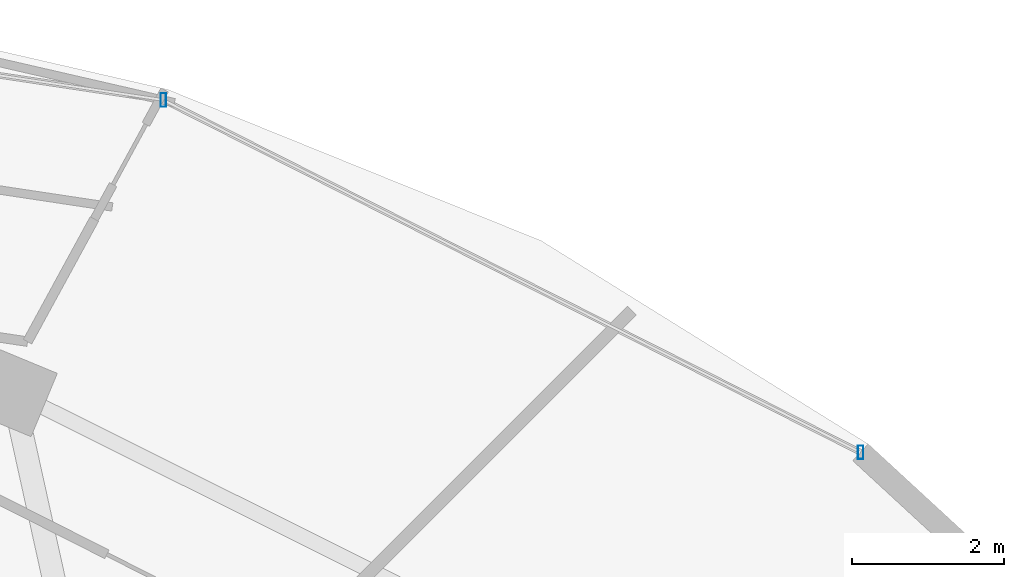
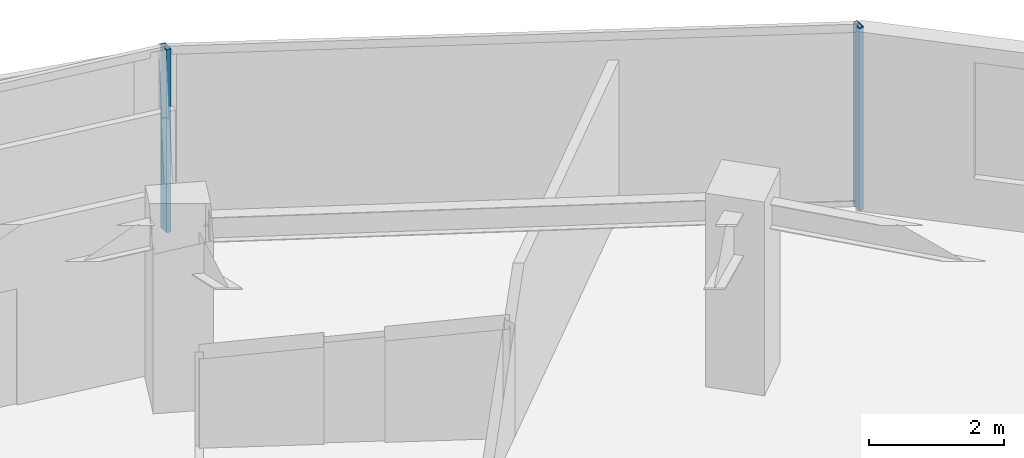
# One storey, part 22 of 33: 2 members, 1 element without a shape of its own.
"""IFC4 building model written with IfcOpenShell, lengths in metres."""

from ifc_helpers import new_model, si_unit, direction, frame, origin, origin_2d, place, context, subcontext, project, spatial, hollow_rectangle, extrude, material, material_profile, profile_set, type_object, element, aggregate, save


model = new_model("IFC4")

# Units and contexts
model_context = context("Model", 3, precision=1e-05, world=origin(), true_north=direction((0.0, 1.0)))
body_context = subcontext(model_context, "Body", "Model", "MODEL_VIEW")
ifc_project = project(units=[si_unit("LENGTHUNIT", "METRE"), si_unit("AREAUNIT", "SQUARE_METRE"), si_unit("VOLUMEUNIT", "CUBIC_METRE"), si_unit("PLANEANGLEUNIT", "RADIAN"), si_unit("MASSUNIT", "GRAM", prefix="KILO")], contexts=[model_context])

# Site, building, storey
site_placement = place(None, origin())
site = spatial("IfcSite", under=ifc_project, at=site_placement, CompositionType="ELEMENT")
building_placement = place(site_placement, origin())
building = spatial("IfcBuilding", under=site, at=building_placement, Name="Vorneva Point Tower", CompositionType="ELEMENT")
storey_placement = place(building_placement, frame((0.0, 0.0, 196.60009765625)))
storey = spatial("IfcBuildingStorey", under=building, at=storey_placement, Name="L53", CompositionType="ELEMENT", Elevation=196.60009765625)

# Curtain wall, members
ifc_material = material(Name="Pale anodised aluminium", Category="aluminium")
curtain_wall_type = type_object("IfcCurtainWallType", Name="CW-RES-SYS", PredefinedType="NOTDEFINED", material=ifc_material)
curtain_wall_placement = place(storey_placement, origin())
curtain_wall = element("IfcCurtainWall", 1, at=curtain_wall_placement, inside=storey, type_object=curtain_wall_type, Name="L53 Unitised Curtain Wall CW-L53-R02", PredefinedType="NOTDEFINED")
ifc_material_profile = material_profile(ifc_material, hollow_rectangle(XDim=0.074951171875, YDim=0.179931640625, WallThickness=0.00390625, at=origin_2d()), Name="AL-MUL 180x75x4")
ifc_profile_set = profile_set([ifc_material_profile], Name="Pale anodised aluminium")
member_type = type_object("IfcMemberType", Name="CW-MUL-180", PredefinedType="MULLION", material=ifc_profile_set)
member_1_placement = place(storey_placement, frame((57.961669921875, 41.0966796875, -0.0400390625), z_axis=(0.0, 0.0, 1.0), x_axis=(1.0, 0.0, 0.0)))
member_1 = element("IfcMember", 2, at=member_1_placement, type_object=member_type, Name="CW-L53-R02 Mullion 01", PredefinedType="MULLION", context=body_context, shape_type="SweptSolid", body=[
    extrude(hollow_rectangle(XDim=0.074951171875, YDim=0.179931640625, WallThickness=0.00390625, at=origin_2d()), origin(), (0.0, 0.0, 1.0), 3.31005859375),
])
member_2_placement = place(storey_placement, frame((48.80322265625, 45.724853515625, -0.0400390625), z_axis=(0.0, 0.0, 1.0), x_axis=(1.0, 0.0, 0.0)))
member_2 = element("IfcMember", 3, at=member_2_placement, type_object=member_type, Name="CW-L53-R02 Mullion 02", PredefinedType="MULLION", context=body_context, shape_type="SweptSolid", body=[
    extrude(hollow_rectangle(XDim=0.074951171875, YDim=0.179931640625, WallThickness=0.00390625, at=origin_2d()), origin(), (0.0, 0.0, 1.0), 3.31005859375),
])
aggregate(curtain_wall, [member_1, member_2])

save(model, "model.ifc")
